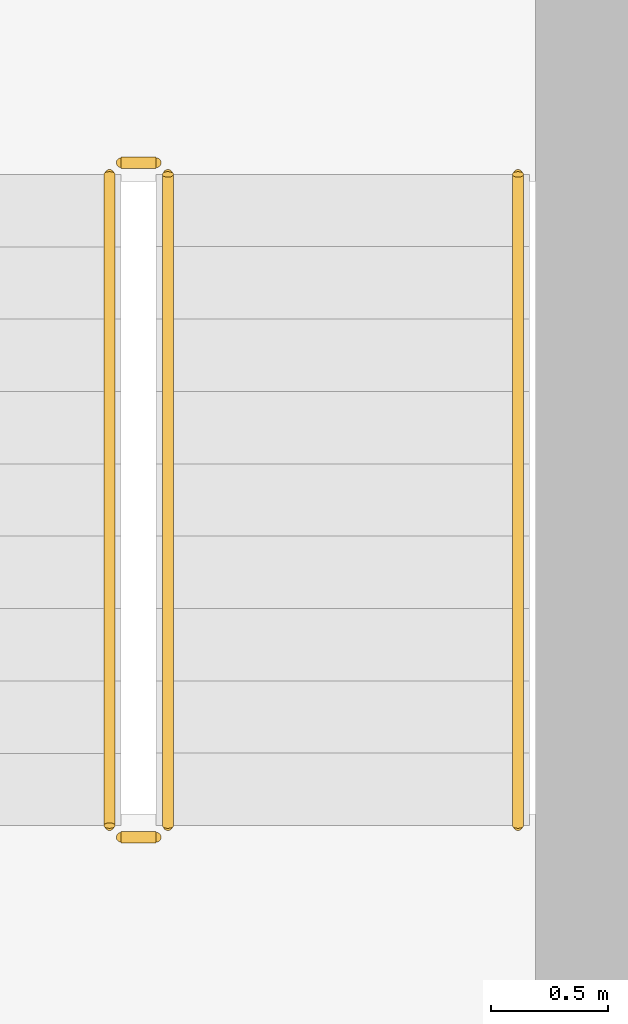
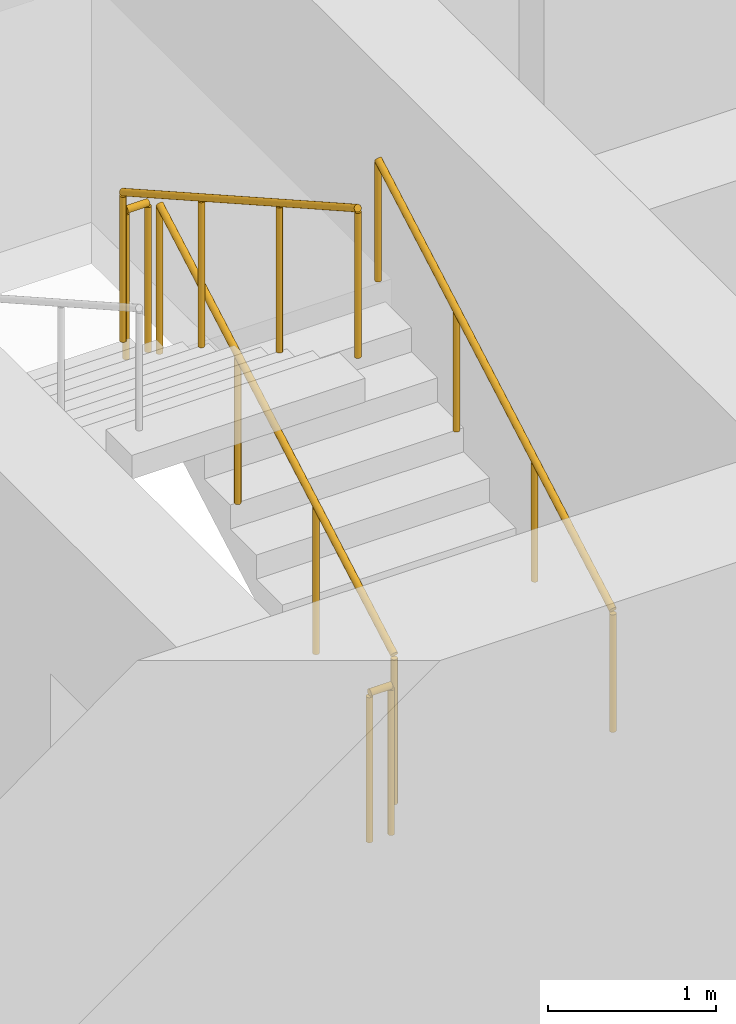
# One storey, part 18 of 22: 5 railings.
"""IFC4 building model written with IfcOpenShell, lengths in metres."""

from ifc_helpers import new_model, si_unit, direction, frame, origin, origin_2d, place, context, subcontext, project, spatial, circle, extrude, material, type_object, element, save


model = new_model("IFC4")

# Units and contexts
model_context = context("Model", 3, precision=1e-05, world=origin(), true_north=direction((0.0, 1.0)))
body_context = subcontext(model_context, "Body", "Model", "MODEL_VIEW")
ifc_project = project(units=[si_unit("LENGTHUNIT", "METRE"), si_unit("AREAUNIT", "SQUARE_METRE"), si_unit("VOLUMEUNIT", "CUBIC_METRE"), si_unit("PLANEANGLEUNIT", "RADIAN"), si_unit("MASSUNIT", "GRAM", prefix="KILO")], contexts=[model_context])

# Site, building, storey
site_placement = place(None, origin())
site = spatial("IfcSite", under=ifc_project, at=site_placement, CompositionType="ELEMENT")
building_placement = place(site_placement, origin())
building = spatial("IfcBuilding", under=site, at=building_placement, Name="Madar Terraces", CompositionType="ELEMENT")
storey_placement = place(building_placement, frame((0.0, 0.0, 59.300048828125)))
storey = spatial("IfcBuildingStorey", under=building, at=storey_placement, Name="L14", CompositionType="ELEMENT", Elevation=59.300048828125)

# Railings
ifc_material_1 = material(Name="Stainless steel railing", Category="steel")
railing_type_1 = type_object("IfcRailingType", Name="Stair guard 1100", PredefinedType="GUARDRAIL", material=ifc_material_1)
railing_1_placement = place(storey_placement, frame((21.199951171875, 17.60009765625, 0.175048828125)))
element("IfcRailing", 1, at=railing_1_placement, inside=storey, type_object=railing_type_1, Name="L14 ST1 stair guard 1", PredefinedType="GUARDRAIL", context=body_context, shape_type="SweptSolid", body=[
    extrude(circle(Radius=0.02392578125, at=origin_2d()), frame((0.0, 0.0, 1.076171875), z_axis=(0.0, 0.870815363784, 0.491610213684), x_axis=(-1.0, 0.0, 0.0)), (0.0, 0.0, 1.0), 3.20361328125),
    extrude(circle(Radius=0.02099609375, at=origin_2d()), origin(), (0.0, 0.0, 1.0), 1.052001953125),
    extrude(circle(Radius=0.02099609375, at=origin_2d()), frame((0.0, 0.929931640625, 0.52490234375)), (0.0, 0.0, 1.0), 1.052001953125),
    extrude(circle(Radius=0.02099609375, at=origin_2d()), frame((0.0, 1.85986328125, 1.050048828125)), (0.0, 0.0, 1.0), 1.052001953125),
    extrude(circle(Radius=0.02099609375, at=origin_2d()), frame((0.0, 2.789794921875, 1.574951171875)), (0.0, 0.0, 1.0), 1.052001953125),
])
railing_2_placement = place(storey_placement, frame((21.14990234375, 20.43994140625, 1.75)))
element("IfcRailing", 2, at=railing_2_placement, inside=storey, type_object=railing_type_1, Name="L14 ST1 stair guard 2", PredefinedType="GUARDRAIL", context=body_context, shape_type="SweptSolid", body=[
    extrude(circle(Radius=0.02392578125, at=origin_2d()), frame((0.0, 0.0, 1.076171875), z_axis=(-1.0, 0.0, 0.0), x_axis=(0.0, -1.0, 0.0)), (0.0, 0.0, 1.0), 0.14990234375),
    extrude(circle(Radius=0.02099609375, at=origin_2d()), origin(), (0.0, 0.0, 1.0), 1.052001953125),
    extrude(circle(Radius=0.02099609375, at=origin_2d()), frame((-0.14990234375, 0.0, 0.0)), (0.0, 0.0, 1.0), 1.052001953125),
])
railing_3_placement = place(storey_placement, frame((20.949951171875, 20.389892578125, 1.925048828125)))
element("IfcRailing", 3, at=railing_3_placement, inside=storey, type_object=railing_type_1, Name="L14 ST1 stair guard 3", PredefinedType="GUARDRAIL", context=body_context, shape_type="SweptSolid", body=[
    extrude(circle(Radius=0.02392578125, at=origin_2d()), frame((0.0, 0.0, 1.076171875), z_axis=(0.0, -0.870815363784, 0.491610213684), x_axis=(1.0, 0.0, 0.0)), (0.0, 0.0, 1.0), 3.20361328125),
    extrude(circle(Radius=0.02099609375, at=origin_2d()), origin(), (0.0, 0.0, 1.0), 1.052001953125),
    extrude(circle(Radius=0.02099609375, at=origin_2d()), frame((0.0, -0.929931640625, 0.52490234375)), (0.0, 0.0, 1.0), 1.052001953125),
    extrude(circle(Radius=0.02099609375, at=origin_2d()), frame((0.0, -1.85986328125, 1.050048828125)), (0.0, 0.0, 1.0), 1.052001953125),
    extrude(circle(Radius=0.02099609375, at=origin_2d()), frame((0.0, -2.789794921875, 1.574951171875)), (0.0, 0.0, 1.0), 1.052001953125),
])
railing_4_placement = place(storey_placement, frame((21.14990234375, 17.550048828125, 0.0)))
element("IfcRailing", 4, at=railing_4_placement, inside=storey, type_object=railing_type_1, Name="L14 ST1 stair guard 4", PredefinedType="GUARDRAIL", context=body_context, shape_type="SweptSolid", body=[
    extrude(circle(Radius=0.02392578125, at=origin_2d()), frame((0.0, 0.0, 1.076171875), z_axis=(-1.0, 0.0, 0.0), x_axis=(0.0, -1.0, 0.0)), (0.0, 0.0, 1.0), 0.14990234375),
    extrude(circle(Radius=0.02099609375, at=origin_2d()), origin(), (0.0, 0.0, 1.0), 1.052001953125),
    extrude(circle(Radius=0.02099609375, at=origin_2d()), frame((-0.14990234375, 0.0, 0.0)), (0.0, 0.0, 1.0), 1.052001953125),
])
ifc_material_2 = material(Name="Stainless steel railing", Category="steel")
railing_type_2 = type_object("IfcRailingType", Name="Stair handrail 900", PredefinedType="HANDRAIL", material=ifc_material_2)
railing_5_placement = place(storey_placement, frame((22.699951171875, 17.60009765625, 0.175048828125)))
element("IfcRailing", 5, at=railing_5_placement, inside=storey, type_object=railing_type_2, Name="L14 ST1 stair handrail 1", PredefinedType="HANDRAIL", context=body_context, shape_type="SweptSolid", body=[
    extrude(circle(Radius=0.02392578125, at=origin_2d()), frame((0.0, 0.0, 0.8759765625), z_axis=(0.0, 0.870815363784, 0.491610213684), x_axis=(-1.0, 0.0, 0.0)), (0.0, 0.0, 1.0), 3.20361328125),
    extrude(circle(Radius=0.02099609375, at=origin_2d()), origin(), (0.0, 0.0, 1.0), 0.851806640625),
    extrude(circle(Radius=0.02099609375, at=origin_2d()), frame((0.0, 0.929931640625, 0.52490234375)), (0.0, 0.0, 1.0), 0.851806640625),
    extrude(circle(Radius=0.02099609375, at=origin_2d()), frame((0.0, 1.85986328125, 1.050048828125)), (0.0, 0.0, 1.0), 0.851806640625),
    extrude(circle(Radius=0.02099609375, at=origin_2d()), frame((0.0, 2.789794921875, 1.574951171875)), (0.0, 0.0, 1.0), 0.851806640625),
])

save(model, "model.ifc")
